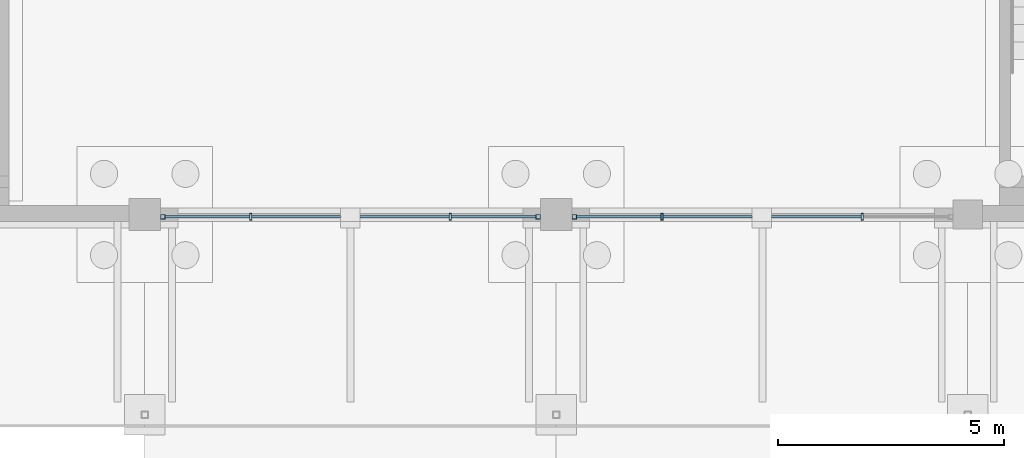
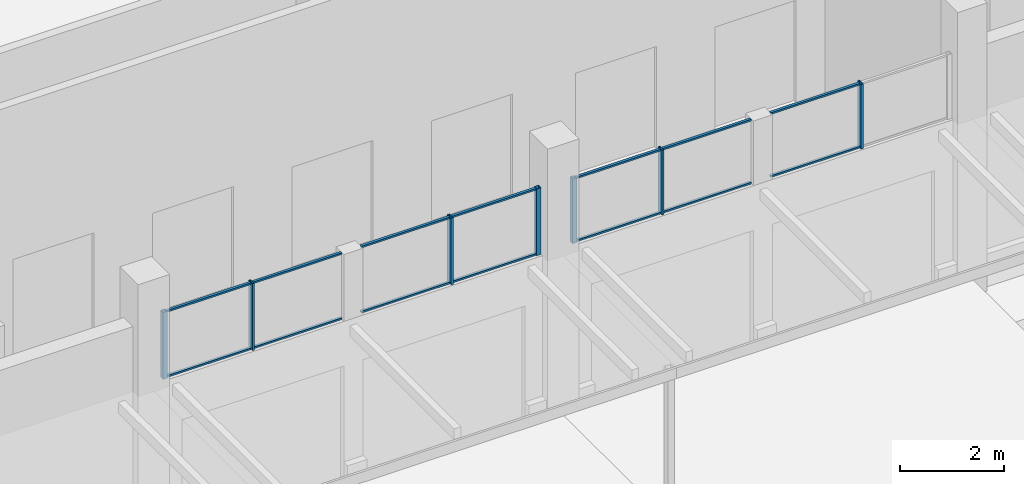
# One storey, part 51 of 129: 21 members, 4 elements without a shape of their own.
"""IFC4 building model written with IfcOpenShell, lengths in metres."""

from ifc_helpers import new_model, si_unit, direction, frame, origin, origin_2d, place, context, subcontext, project, spatial, hollow_rectangle, extrude, material, layer, layer_set, material_profile, profile_set, type_object, element, aggregate, save


model = new_model("IFC4")

# Units and contexts
model_context = context("Model", 3, precision=1e-05, world=origin(), true_north=direction((0.0, 1.0)))
body_context = subcontext(model_context, "Body", "Model", "MODEL_VIEW")
ifc_project = project(units=[si_unit("LENGTHUNIT", "METRE"), si_unit("AREAUNIT", "SQUARE_METRE"), si_unit("VOLUMEUNIT", "CUBIC_METRE"), si_unit("PLANEANGLEUNIT", "RADIAN"), si_unit("MASSUNIT", "GRAM", prefix="KILO")], contexts=[model_context])

# Site, building, storey
site_placement = place(None, origin())
site = spatial("IfcSite", under=ifc_project, at=site_placement, CompositionType="ELEMENT")
building_placement = place(site_placement, origin())
building = spatial("IfcBuilding", under=site, at=building_placement, Name="Shirokan Park Arena", CompositionType="ELEMENT")
storey_placement = place(building_placement, origin())
storey = spatial("IfcBuildingStorey", under=building, at=storey_placement, Name="L00", CompositionType="ELEMENT", Elevation=0.0)

# Curtain wall, member
ifc_material_1 = material(Name="Steel and glass curtain wall", Category="steel")
ifc_layer = layer(ifc_material_1, 0.199951171875)
ifc_layer_set = layer_set([ifc_layer], Name="Steel and glass curtain wall 200 mm")
curtain_wall_type = type_object("IfcCurtainWallType", Name="Curtain wall shopfront bay 200", PredefinedType="NOTDEFINED", material=ifc_layer_set)
curtain_wall_1_placement = place(storey_placement, origin())
curtain_wall_1 = element("IfcCurtainWall", 1, at=curtain_wall_1_placement, inside=storey, type_object=curtain_wall_type, Name="Curtain wall south bay 8 L00 clerestory 1", PredefinedType="NOTDEFINED")
ifc_material_2 = material(Name="Steel S355", Category="steel")
ifc_material_profile_1 = material_profile(ifc_material_2, hollow_rectangle(XDim=0.10009765625, YDim=0.10009765625, WallThickness=0.006103515625, at=origin_2d()), Name="RHS 100x100x6")
ifc_profile_set_1 = profile_set([ifc_material_profile_1], Name="Steel S355")
member_type_1 = type_object("IfcMemberType", Name="Mullion RHS 100x100x6", PredefinedType="MULLION", material=ifc_profile_set_1)
member_1_placement = place(storey_placement, frame((64.10009765625, -0.050048828125, 3.75), z_axis=(0.0, 0.0, 1.0), x_axis=(0.0, 1.0, 0.0)))
member_1 = element("IfcMember", 2, at=member_1_placement, type_object=member_type_1, Name="CW4 mullion 1", PredefinedType="MULLION", context=body_context, shape_type="SweptSolid", body=[
    extrude(hollow_rectangle(XDim=0.10009765625, YDim=0.10009765625, WallThickness=0.006103515625, at=origin_2d()), origin(), (0.0, 0.0, 1.0), 1.570068359375),
])

curtain_wall_2_placement = place(storey_placement, origin())
curtain_wall_2 = element("IfcCurtainWall", 3, at=curtain_wall_2_placement, inside=storey, type_object=curtain_wall_type, Name="Curtain wall south bay 8 L00 clerestory 2", PredefinedType="NOTDEFINED")
member_2_placement = place(storey_placement, frame((72.39990234375, -0.050048828125, 3.75), z_axis=(0.0, 0.0, 1.0), x_axis=(0.0, 1.0, 0.0)))
member_2 = element("IfcMember", 4, at=member_2_placement, type_object=member_type_1, Name="CW4 mullion 3", PredefinedType="MULLION", context=body_context, shape_type="SweptSolid", body=[
    extrude(hollow_rectangle(XDim=0.10009765625, YDim=0.10009765625, WallThickness=0.006103515625, at=origin_2d()), origin(), (0.0, 0.0, 1.0), 1.570068359375),
])

curtain_wall_3_placement = place(storey_placement, origin())
curtain_wall_3 = element("IfcCurtainWall", 5, at=curtain_wall_3_placement, inside=storey, type_object=curtain_wall_type, Name="Curtain wall south bay 9 L00 clerestory 1", PredefinedType="NOTDEFINED")
member_3_placement = place(storey_placement, frame((73.199951171875, -0.050048828125, 3.75), z_axis=(0.0, 0.0, 1.0), x_axis=(0.0, 1.0, 0.0)))
member_3 = element("IfcMember", 6, at=member_3_placement, type_object=member_type_1, Name="CW4 mullion 1", PredefinedType="MULLION", context=body_context, shape_type="SweptSolid", body=[
    extrude(hollow_rectangle(XDim=0.10009765625, YDim=0.10009765625, WallThickness=0.006103515625, at=origin_2d()), origin(), (0.0, 0.0, 1.0), 1.52001953125),
])

# Member
ifc_material_profile_2 = material_profile(ifc_material_2, hollow_rectangle(XDim=0.14990234375, YDim=0.050048828125, WallThickness=0.006103515625, at=origin_2d()), Name="RHS 150x50x6")
ifc_profile_set_2 = profile_set([ifc_material_profile_2], Name="Steel S355")
member_type_2 = type_object("IfcMemberType", Name="Mullion RHS 150x50x6", PredefinedType="MULLION", material=ifc_profile_set_2)
member_4_placement = place(storey_placement, frame((66.04248046875, -0.050048828125, 3.75), z_axis=(0.0, 0.0, 1.0), x_axis=(0.0, 1.0, 0.0)))
member_4 = element("IfcMember", 7, at=member_4_placement, type_object=member_type_2, Name="CW4 mullion 2", PredefinedType="MULLION", context=body_context, shape_type="SweptSolid", body=[
    extrude(hollow_rectangle(XDim=0.14990234375, YDim=0.050048828125, WallThickness=0.006103515625, at=origin_2d()), origin(), (0.0, 0.0, 1.0), 1.570068359375),
])

member_5_placement = place(storey_placement, frame((70.45751953125, -0.050048828125, 3.75), z_axis=(0.0, 0.0, 1.0), x_axis=(0.0, 1.0, 0.0)))
member_5 = element("IfcMember", 8, at=member_5_placement, type_object=member_type_2, Name="CW4 mullion 2", PredefinedType="MULLION", context=body_context, shape_type="SweptSolid", body=[
    extrude(hollow_rectangle(XDim=0.14990234375, YDim=0.050048828125, WallThickness=0.006103515625, at=origin_2d()), origin(), (0.0, 0.0, 1.0), 1.570068359375),
])

member_6_placement = place(storey_placement, frame((75.142578125, -0.050048828125, 3.75), z_axis=(0.0, 0.0, 1.0), x_axis=(0.0, 1.0, 0.0)))
member_6 = element("IfcMember", 9, at=member_6_placement, type_object=member_type_2, Name="CW4 mullion 2", PredefinedType="MULLION", context=body_context, shape_type="SweptSolid", body=[
    extrude(hollow_rectangle(XDim=0.14990234375, YDim=0.050048828125, WallThickness=0.006103515625, at=origin_2d()), origin(), (0.0, 0.0, 1.0), 1.52001953125),
])

# Curtain wall, member
curtain_wall_4_placement = place(storey_placement, origin())
curtain_wall_4 = element("IfcCurtainWall", 10, at=curtain_wall_4_placement, inside=storey, type_object=curtain_wall_type, Name="Curtain wall south bay 9 L00 clerestory 2", PredefinedType="NOTDEFINED")
member_7_placement = place(storey_placement, frame((79.570068359375, -0.050048828125, 3.75), z_axis=(0.0, 0.0, 1.0), x_axis=(0.0, 1.0, 0.0)))
member_7 = element("IfcMember", 11, at=member_7_placement, type_object=member_type_2, Name="CW4 mullion 2", PredefinedType="MULLION", context=body_context, shape_type="SweptSolid", body=[
    extrude(hollow_rectangle(XDim=0.14990234375, YDim=0.050048828125, WallThickness=0.006103515625, at=origin_2d()), origin(), (0.0, 0.0, 1.0), 1.52001953125),
])

# Member
ifc_material_profile_3 = material_profile(ifc_material_2, hollow_rectangle(XDim=0.06005859375, YDim=0.0400390625, WallThickness=0.00390625, at=origin_2d()), Name="RHS 60x40x4")
ifc_profile_set_3 = profile_set([ifc_material_profile_3], Name="Steel S355")
member_type_3 = type_object("IfcMemberType", Name="Transom RHS 60x40x4", PredefinedType="MULLION", material=ifc_profile_set_3)
member_8_placement = place(storey_placement, frame((64.14990234375, -0.050048828125, 3.77001953125), z_axis=(1.0, 0.0, 0.0), x_axis=(0.0, 1.0, 0.0)))
member_8 = element("IfcMember", 12, at=member_8_placement, type_object=member_type_3, Name="CW4 transom 1.1", PredefinedType="MULLION", context=body_context, shape_type="SweptSolid", body=[
    extrude(hollow_rectangle(XDim=0.06005859375, YDim=0.0400390625, WallThickness=0.00390625, at=origin_2d()), origin(), (0.0, 0.0, 1.0), 1.86767578125),
])

member_9_placement = place(storey_placement, frame((64.14990234375, -0.050048828125, 5.300048828125), z_axis=(1.0, 0.0, 0.0), x_axis=(0.0, 1.0, 0.0)))
member_9 = element("IfcMember", 13, at=member_9_placement, type_object=member_type_3, Name="CW4 transom 1.2", PredefinedType="MULLION", context=body_context, shape_type="SweptSolid", body=[
    extrude(hollow_rectangle(XDim=0.06005859375, YDim=0.0400390625, WallThickness=0.00390625, at=origin_2d()), origin(), (0.0, 0.0, 1.0), 1.86767578125),
])

member_10_placement = place(storey_placement, frame((66.0673828125, -0.050048828125, 3.77001953125), z_axis=(1.0, 0.0, 0.0), x_axis=(0.0, 1.0, 0.0)))
member_10 = element("IfcMember", 14, at=member_10_placement, type_object=member_type_3, Name="CW4 transom 2.1", PredefinedType="MULLION", context=body_context, shape_type="SweptSolid", body=[
    extrude(hollow_rectangle(XDim=0.06005859375, YDim=0.0400390625, WallThickness=0.00390625, at=origin_2d()), origin(), (0.0, 0.0, 1.0), 1.967529296875),
])

member_11_placement = place(storey_placement, frame((66.0673828125, -0.050048828125, 5.300048828125), z_axis=(1.0, 0.0, 0.0), x_axis=(0.0, 1.0, 0.0)))
member_11 = element("IfcMember", 15, at=member_11_placement, type_object=member_type_3, Name="CW4 transom 2.2", PredefinedType="MULLION", context=body_context, shape_type="SweptSolid", body=[
    extrude(hollow_rectangle(XDim=0.06005859375, YDim=0.0400390625, WallThickness=0.00390625, at=origin_2d()), origin(), (0.0, 0.0, 1.0), 1.967529296875),
])

aggregate(curtain_wall_1, [member_1, member_4, member_8, member_9, member_10, member_11])

member_12_placement = place(storey_placement, frame((68.465087890625, -0.050048828125, 3.77001953125), z_axis=(1.0, 0.0, 0.0), x_axis=(0.0, 1.0, 0.0)))
member_12 = element("IfcMember", 16, at=member_12_placement, type_object=member_type_3, Name="CW4 transom 1.1", PredefinedType="MULLION", context=body_context, shape_type="SweptSolid", body=[
    extrude(hollow_rectangle(XDim=0.06005859375, YDim=0.0400390625, WallThickness=0.00390625, at=origin_2d()), origin(), (0.0, 0.0, 1.0), 1.967529296875),
])

member_13_placement = place(storey_placement, frame((68.465087890625, -0.050048828125, 5.300048828125), z_axis=(1.0, 0.0, 0.0), x_axis=(0.0, 1.0, 0.0)))
member_13 = element("IfcMember", 17, at=member_13_placement, type_object=member_type_3, Name="CW4 transom 1.2", PredefinedType="MULLION", context=body_context, shape_type="SweptSolid", body=[
    extrude(hollow_rectangle(XDim=0.06005859375, YDim=0.0400390625, WallThickness=0.00390625, at=origin_2d()), origin(), (0.0, 0.0, 1.0), 1.967529296875),
])

member_14_placement = place(storey_placement, frame((70.482421875, -0.050048828125, 3.77001953125), z_axis=(1.0, 0.0, 0.0), x_axis=(0.0, 1.0, 0.0)))
member_14 = element("IfcMember", 18, at=member_14_placement, type_object=member_type_3, Name="CW4 transom 2.1", PredefinedType="MULLION", context=body_context, shape_type="SweptSolid", body=[
    extrude(hollow_rectangle(XDim=0.06005859375, YDim=0.0400390625, WallThickness=0.00390625, at=origin_2d()), origin(), (0.0, 0.0, 1.0), 1.86767578125),
])

member_15_placement = place(storey_placement, frame((70.482421875, -0.050048828125, 5.300048828125), z_axis=(1.0, 0.0, 0.0), x_axis=(0.0, 1.0, 0.0)))
member_15 = element("IfcMember", 19, at=member_15_placement, type_object=member_type_3, Name="CW4 transom 2.2", PredefinedType="MULLION", context=body_context, shape_type="SweptSolid", body=[
    extrude(hollow_rectangle(XDim=0.06005859375, YDim=0.0400390625, WallThickness=0.00390625, at=origin_2d()), origin(), (0.0, 0.0, 1.0), 1.86767578125),
])

aggregate(curtain_wall_2, [member_5, member_2, member_12, member_13, member_14, member_15])

member_16_placement = place(storey_placement, frame((73.25, -0.050048828125, 3.77001953125), z_axis=(1.0, 0.0, 0.0), x_axis=(0.0, 1.0, 0.0)))
member_16 = element("IfcMember", 20, at=member_16_placement, type_object=member_type_3, Name="CW4 transom 1.1", PredefinedType="MULLION", context=body_context, shape_type="SweptSolid", body=[
    extrude(hollow_rectangle(XDim=0.06005859375, YDim=0.0400390625, WallThickness=0.00390625, at=origin_2d()), origin(), (0.0, 0.0, 1.0), 1.867431640625),
])

member_17_placement = place(storey_placement, frame((73.25, -0.050048828125, 5.25), z_axis=(1.0, 0.0, 0.0), x_axis=(0.0, 1.0, 0.0)))
member_17 = element("IfcMember", 21, at=member_17_placement, type_object=member_type_3, Name="CW4 transom 1.2", PredefinedType="MULLION", context=body_context, shape_type="SweptSolid", body=[
    extrude(hollow_rectangle(XDim=0.06005859375, YDim=0.0400390625, WallThickness=0.00390625, at=origin_2d()), origin(), (0.0, 0.0, 1.0), 1.867431640625),
])

member_18_placement = place(storey_placement, frame((75.16748046875, -0.050048828125, 3.77001953125), z_axis=(1.0, 0.0, 0.0), x_axis=(0.0, 1.0, 0.0)))
member_18 = element("IfcMember", 22, at=member_18_placement, type_object=member_type_3, Name="CW4 transom 2.1", PredefinedType="MULLION", context=body_context, shape_type="SweptSolid", body=[
    extrude(hollow_rectangle(XDim=0.06005859375, YDim=0.0400390625, WallThickness=0.00390625, at=origin_2d()), origin(), (0.0, 0.0, 1.0), 1.967529296875),
])

member_19_placement = place(storey_placement, frame((75.16748046875, -0.050048828125, 5.25), z_axis=(1.0, 0.0, 0.0), x_axis=(0.0, 1.0, 0.0)))
member_19 = element("IfcMember", 23, at=member_19_placement, type_object=member_type_3, Name="CW4 transom 2.2", PredefinedType="MULLION", context=body_context, shape_type="SweptSolid", body=[
    extrude(hollow_rectangle(XDim=0.06005859375, YDim=0.0400390625, WallThickness=0.00390625, at=origin_2d()), origin(), (0.0, 0.0, 1.0), 1.967529296875),
])

aggregate(curtain_wall_3, [member_3, member_6, member_16, member_17, member_18, member_19])

member_20_placement = place(storey_placement, frame((77.56494140625, -0.050048828125, 3.77001953125), z_axis=(1.0, 0.0, 0.0), x_axis=(0.0, 1.0, 0.0)))
member_20 = element("IfcMember", 24, at=member_20_placement, type_object=member_type_3, Name="CW4 transom 1.1", PredefinedType="MULLION", context=body_context, shape_type="SweptSolid", body=[
    extrude(hollow_rectangle(XDim=0.06005859375, YDim=0.0400390625, WallThickness=0.00390625, at=origin_2d()), origin(), (0.0, 0.0, 1.0), 1.97998046875),
])

member_21_placement = place(storey_placement, frame((77.56494140625, -0.050048828125, 5.25), z_axis=(1.0, 0.0, 0.0), x_axis=(0.0, 1.0, 0.0)))
member_21 = element("IfcMember", 25, at=member_21_placement, type_object=member_type_3, Name="CW4 transom 1.2", PredefinedType="MULLION", context=body_context, shape_type="SweptSolid", body=[
    extrude(hollow_rectangle(XDim=0.06005859375, YDim=0.0400390625, WallThickness=0.00390625, at=origin_2d()), origin(), (0.0, 0.0, 1.0), 1.97998046875),
])

aggregate(curtain_wall_4, [member_7, member_20, member_21])

save(model, "model.ifc")
